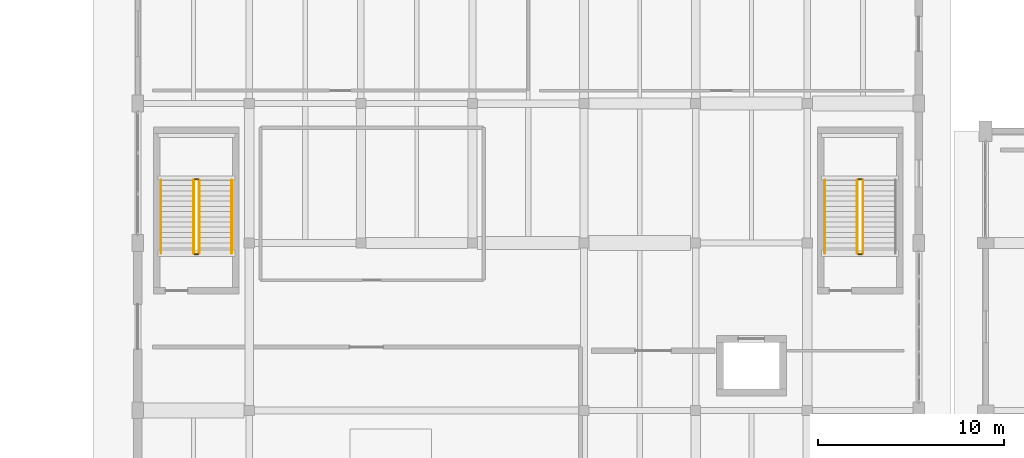
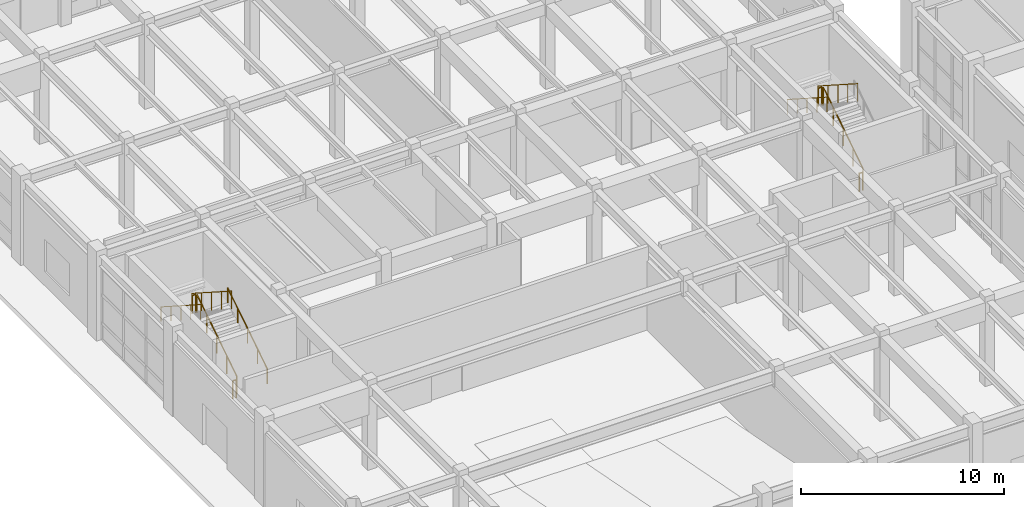
# One storey, part 87 of 91: 11 railings.
"""IFC4 building model written with IfcOpenShell, lengths in metres."""

from ifc_helpers import new_model, si_unit, direction, frame, origin, origin_2d, place, context, subcontext, project, spatial, circle, extrude, material, type_object, element, save


model = new_model("IFC4")

# Units and contexts
model_context = context("Model", 3, precision=1e-05, world=origin(), true_north=direction((0.0, 1.0)))
body_context = subcontext(model_context, "Body", "Model", "MODEL_VIEW")
ifc_project = project(units=[si_unit("LENGTHUNIT", "METRE"), si_unit("AREAUNIT", "SQUARE_METRE"), si_unit("VOLUMEUNIT", "CUBIC_METRE"), si_unit("PLANEANGLEUNIT", "RADIAN"), si_unit("MASSUNIT", "GRAM", prefix="KILO")], contexts=[model_context])

# Site, building, storey
site_placement = place(None, origin())
site = spatial("IfcSite", under=ifc_project, at=site_placement, CompositionType="ELEMENT")
building_placement = place(site_placement, origin())
building = spatial("IfcBuilding", under=site, at=building_placement, Name="Vaelkrest Opera House", CompositionType="ELEMENT")
storey_placement = place(building_placement, origin())
storey = spatial("IfcBuildingStorey", under=building, at=storey_placement, Name="L00", CompositionType="ELEMENT", Elevation=0.0)

# Railings
ifc_material = material(Name="Dark bronze anodized aluminium", Category="aluminium")
railing_type_1 = type_object("IfcRailingType", Name="GR02", PredefinedType="GUARDRAIL", material=ifc_material)
railing_1_placement = place(storey_placement, frame((-72.300048828125, 9.64990234375, 0.179931640625)))
element("IfcRailing", 1, at=railing_1_placement, inside=storey, type_object=railing_type_1, Name="L00 ST07 stair guard 1", PredefinedType="GUARDRAIL", context=body_context, shape_type="SweptSolid", body=[
    extrude(circle(Radius=0.02392578125, at=origin_2d()), frame((0.0, 0.0, 1.076171875), z_axis=(0.0, 0.841186985886, 0.540744352514), x_axis=(-1.0, 0.0, 0.0)), (0.0, 0.0, 1.0), 4.660400390625),
    extrude(circle(Radius=0.02099609375, at=origin_2d()), origin(), (0.0, 0.0, 1.0), 1.052001953125),
    extrude(circle(Radius=0.02099609375, at=origin_2d()), frame((0.0, 0.97998046875, 0.6298828125)), (0.0, 0.0, 1.0), 1.052001953125),
    extrude(circle(Radius=0.02099609375, at=origin_2d()), frame((0.0, 1.9599609375, 1.260009765625)), (0.0, 0.0, 1.0), 1.052001953125),
    extrude(circle(Radius=0.02099609375, at=origin_2d()), frame((0.0, 2.940185546875, 1.89013671875)), (0.0, 0.0, 1.0), 1.052001953125),
    extrude(circle(Radius=0.02099609375, at=origin_2d()), frame((0.0, 3.920166015625, 2.52001953125)), (0.0, 0.0, 1.0), 1.052001953125),
])
railing_2_placement = place(storey_placement, frame((-72.35009765625, 13.6201171875, 2.699951171875)))
element("IfcRailing", 2, at=railing_2_placement, inside=storey, type_object=railing_type_1, Name="L00 ST07 stair guard 2", PredefinedType="GUARDRAIL", context=body_context, shape_type="SweptSolid", body=[
    extrude(circle(Radius=0.02392578125, at=origin_2d()), frame((0.0, 0.0, 1.076171875), z_axis=(-1.0, 0.0, 0.0), x_axis=(0.0, -1.0, 0.0)), (0.0, 0.0, 1.0), 0.199951171875),
    extrude(circle(Radius=0.02099609375, at=origin_2d()), origin(), (0.0, 0.0, 1.0), 1.052001953125),
    extrude(circle(Radius=0.02099609375, at=origin_2d()), frame((-0.199951171875, 0.0, 0.0)), (0.0, 0.0, 1.0), 1.052001953125),
])
railing_3_placement = place(storey_placement, frame((-72.60009765625, 13.570068359375, 2.8798828125)))
element("IfcRailing", 3, at=railing_3_placement, inside=storey, type_object=railing_type_1, Name="L00 ST07 stair guard 3", PredefinedType="GUARDRAIL", context=body_context, shape_type="SweptSolid", body=[
    extrude(circle(Radius=0.02392578125, at=origin_2d()), frame((0.0, 0.0, 1.076171875), z_axis=(0.0, -0.841186985886, 0.540744352514), x_axis=(1.0, 0.0, 0.0)), (0.0, 0.0, 1.0), 4.660400390625),
    extrude(circle(Radius=0.02099609375, at=origin_2d()), origin(), (0.0, 0.0, 1.0), 1.052001953125),
    extrude(circle(Radius=0.02099609375, at=origin_2d()), frame((0.0, -0.97998046875, 0.6298828125)), (0.0, 0.0, 1.0), 1.052001953125),
    extrude(circle(Radius=0.02099609375, at=origin_2d()), frame((0.0, -1.9599609375, 1.260009765625)), (0.0, 0.0, 1.0), 1.052001953125),
    extrude(circle(Radius=0.02099609375, at=origin_2d()), frame((0.0, -2.940185546875, 1.89013671875)), (0.0, 0.0, 1.0), 1.052001953125),
    extrude(circle(Radius=0.02099609375, at=origin_2d()), frame((0.0, -3.920166015625, 2.52001953125)), (0.0, 0.0, 1.0), 1.052001953125),
])
railing_4_placement = place(storey_placement, frame((-72.35009765625, 9.60009765625, 0.0)))
element("IfcRailing", 4, at=railing_4_placement, inside=storey, type_object=railing_type_1, Name="L00 ST07 stair guard 4", PredefinedType="GUARDRAIL", context=body_context, shape_type="SweptSolid", body=[
    extrude(circle(Radius=0.02392578125, at=origin_2d()), frame((0.0, 0.0, 1.076171875), z_axis=(-1.0, 0.0, 0.0), x_axis=(0.0, -1.0, 0.0)), (0.0, 0.0, 1.0), 0.199951171875),
    extrude(circle(Radius=0.02099609375, at=origin_2d()), origin(), (0.0, 0.0, 1.0), 1.052001953125),
    extrude(circle(Radius=0.02099609375, at=origin_2d()), frame((-0.199951171875, 0.0, 0.0)), (0.0, 0.0, 1.0), 1.052001953125),
])
railing_5_placement = place(storey_placement, frame((-36.60009765625, 9.64990234375, 0.179931640625)))
element("IfcRailing", 5, at=railing_5_placement, inside=storey, type_object=railing_type_1, Name="L00 ST08 stair guard 1", PredefinedType="GUARDRAIL", context=body_context, shape_type="SweptSolid", body=[
    extrude(circle(Radius=0.02392578125, at=origin_2d()), frame((0.0, 0.0, 1.076171875), z_axis=(0.0, 0.841186985886, 0.540744352514), x_axis=(-1.0, 0.0, 0.0)), (0.0, 0.0, 1.0), 4.660400390625),
    extrude(circle(Radius=0.02099609375, at=origin_2d()), origin(), (0.0, 0.0, 1.0), 1.052001953125),
    extrude(circle(Radius=0.02099609375, at=origin_2d()), frame((0.0, 0.97998046875, 0.6298828125)), (0.0, 0.0, 1.0), 1.052001953125),
    extrude(circle(Radius=0.02099609375, at=origin_2d()), frame((0.0, 1.9599609375, 1.260009765625)), (0.0, 0.0, 1.0), 1.052001953125),
    extrude(circle(Radius=0.02099609375, at=origin_2d()), frame((0.0, 2.940185546875, 1.89013671875)), (0.0, 0.0, 1.0), 1.052001953125),
    extrude(circle(Radius=0.02099609375, at=origin_2d()), frame((0.0, 3.920166015625, 2.52001953125)), (0.0, 0.0, 1.0), 1.052001953125),
])
railing_6_placement = place(storey_placement, frame((-36.64990234375, 13.6201171875, 2.699951171875)))
element("IfcRailing", 6, at=railing_6_placement, inside=storey, type_object=railing_type_1, Name="L00 ST08 stair guard 2", PredefinedType="GUARDRAIL", context=body_context, shape_type="SweptSolid", body=[
    extrude(circle(Radius=0.02392578125, at=origin_2d()), frame((0.0, 0.0, 1.076171875), z_axis=(-1.0, 0.0, 0.0), x_axis=(0.0, -1.0, 0.0)), (0.0, 0.0, 1.0), 0.2001953125),
    extrude(circle(Radius=0.02099609375, at=origin_2d()), origin(), (0.0, 0.0, 1.0), 1.052001953125),
    extrude(circle(Radius=0.02099609375, at=origin_2d()), frame((-0.2001953125, 0.0, 0.0)), (0.0, 0.0, 1.0), 1.052001953125),
])
railing_7_placement = place(storey_placement, frame((-36.89990234375, 13.570068359375, 2.8798828125)))
element("IfcRailing", 7, at=railing_7_placement, inside=storey, type_object=railing_type_1, Name="L00 ST08 stair guard 3", PredefinedType="GUARDRAIL", context=body_context, shape_type="SweptSolid", body=[
    extrude(circle(Radius=0.02392578125, at=origin_2d()), frame((0.0, 0.0, 1.076171875), z_axis=(0.0, -0.841186985886, 0.540744352514), x_axis=(1.0, 0.0, 0.0)), (0.0, 0.0, 1.0), 4.660400390625),
    extrude(circle(Radius=0.02099609375, at=origin_2d()), origin(), (0.0, 0.0, 1.0), 1.052001953125),
    extrude(circle(Radius=0.02099609375, at=origin_2d()), frame((0.0, -0.97998046875, 0.6298828125)), (0.0, 0.0, 1.0), 1.052001953125),
    extrude(circle(Radius=0.02099609375, at=origin_2d()), frame((0.0, -1.9599609375, 1.260009765625)), (0.0, 0.0, 1.0), 1.052001953125),
    extrude(circle(Radius=0.02099609375, at=origin_2d()), frame((0.0, -2.940185546875, 1.89013671875)), (0.0, 0.0, 1.0), 1.052001953125),
    extrude(circle(Radius=0.02099609375, at=origin_2d()), frame((0.0, -3.920166015625, 2.52001953125)), (0.0, 0.0, 1.0), 1.052001953125),
])
railing_8_placement = place(storey_placement, frame((-36.64990234375, 9.60009765625, 0.0)))
element("IfcRailing", 8, at=railing_8_placement, inside=storey, type_object=railing_type_1, Name="L00 ST08 stair guard 4", PredefinedType="GUARDRAIL", context=body_context, shape_type="SweptSolid", body=[
    extrude(circle(Radius=0.02392578125, at=origin_2d()), frame((0.0, 0.0, 1.076171875), z_axis=(-1.0, 0.0, 0.0), x_axis=(0.0, -1.0, 0.0)), (0.0, 0.0, 1.0), 0.2001953125),
    extrude(circle(Radius=0.02099609375, at=origin_2d()), origin(), (0.0, 0.0, 1.0), 1.052001953125),
    extrude(circle(Radius=0.02099609375, at=origin_2d()), frame((-0.2001953125, 0.0, 0.0)), (0.0, 0.0, 1.0), 1.052001953125),
])
railing_type_2 = type_object("IfcRailingType", Name="HR02", PredefinedType="HANDRAIL", material=ifc_material)
railing_9_placement = place(storey_placement, frame((-70.550048828125, 9.64990234375, 0.179931640625)))
element("IfcRailing", 9, at=railing_9_placement, inside=storey, type_object=railing_type_2, Name="L00 ST07 stair handrail 1", PredefinedType="HANDRAIL", context=body_context, shape_type="SweptSolid", body=[
    extrude(circle(Radius=0.02392578125, at=origin_2d()), frame((0.0, 0.0, 0.8759765625), z_axis=(0.0, 0.841186985886, 0.540744352514), x_axis=(-1.0, 0.0, 0.0)), (0.0, 0.0, 1.0), 4.660400390625),
    extrude(circle(Radius=0.02099609375, at=origin_2d()), origin(), (0.0, 0.0, 1.0), 0.851806640625),
    extrude(circle(Radius=0.02099609375, at=origin_2d()), frame((0.0, 0.97998046875, 0.6298828125)), (0.0, 0.0, 1.0), 0.851806640625),
    extrude(circle(Radius=0.02099609375, at=origin_2d()), frame((0.0, 1.9599609375, 1.260009765625)), (0.0, 0.0, 1.0), 0.851806640625),
    extrude(circle(Radius=0.02099609375, at=origin_2d()), frame((0.0, 2.940185546875, 1.89013671875)), (0.0, 0.0, 1.0), 0.851806640625),
    extrude(circle(Radius=0.02099609375, at=origin_2d()), frame((0.0, 3.920166015625, 2.52001953125)), (0.0, 0.0, 1.0), 0.851806640625),
])
for number, where, name in (
    (10, (-74.35009765625, 13.570068359375, 2.8798828125), "L00 ST07 stair handrail 2"),
    (11, (-38.64990234375, 13.570068359375, 2.8798828125), "L00 ST08 stair handrail 2"),
):
    element("IfcRailing", number, at=place(storey_placement, frame(where)), inside=storey, type_object=railing_type_2, Name=name, PredefinedType="HANDRAIL", context=body_context, shape_type="SweptSolid", body=[
        extrude(circle(Radius=0.02392578125, at=origin_2d()), frame((0.0, 0.0, 0.8759765625), z_axis=(0.0, -0.841186985886, 0.540744352514), x_axis=(1.0, 0.0, 0.0)), (0.0, 0.0, 1.0), 4.660400390625),
        extrude(circle(Radius=0.02099609375, at=origin_2d()), origin(), (0.0, 0.0, 1.0), 0.851806640625),
        extrude(circle(Radius=0.02099609375, at=origin_2d()), frame((0.0, -0.97998046875, 0.6298828125)), (0.0, 0.0, 1.0), 0.851806640625),
        extrude(circle(Radius=0.02099609375, at=origin_2d()), frame((0.0, -1.9599609375, 1.260009765625)), (0.0, 0.0, 1.0), 0.851806640625),
        extrude(circle(Radius=0.02099609375, at=origin_2d()), frame((0.0, -2.940185546875, 1.89013671875)), (0.0, 0.0, 1.0), 0.851806640625),
        extrude(circle(Radius=0.02099609375, at=origin_2d()), frame((0.0, -3.920166015625, 2.52001953125)), (0.0, 0.0, 1.0), 0.851806640625),
    ])

save(model, "model.ifc")
